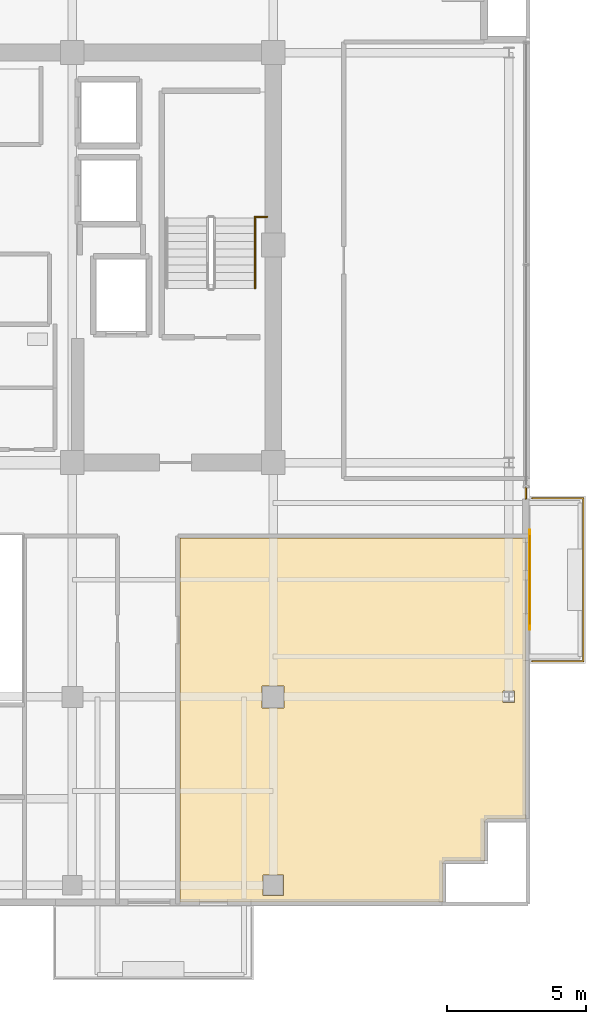
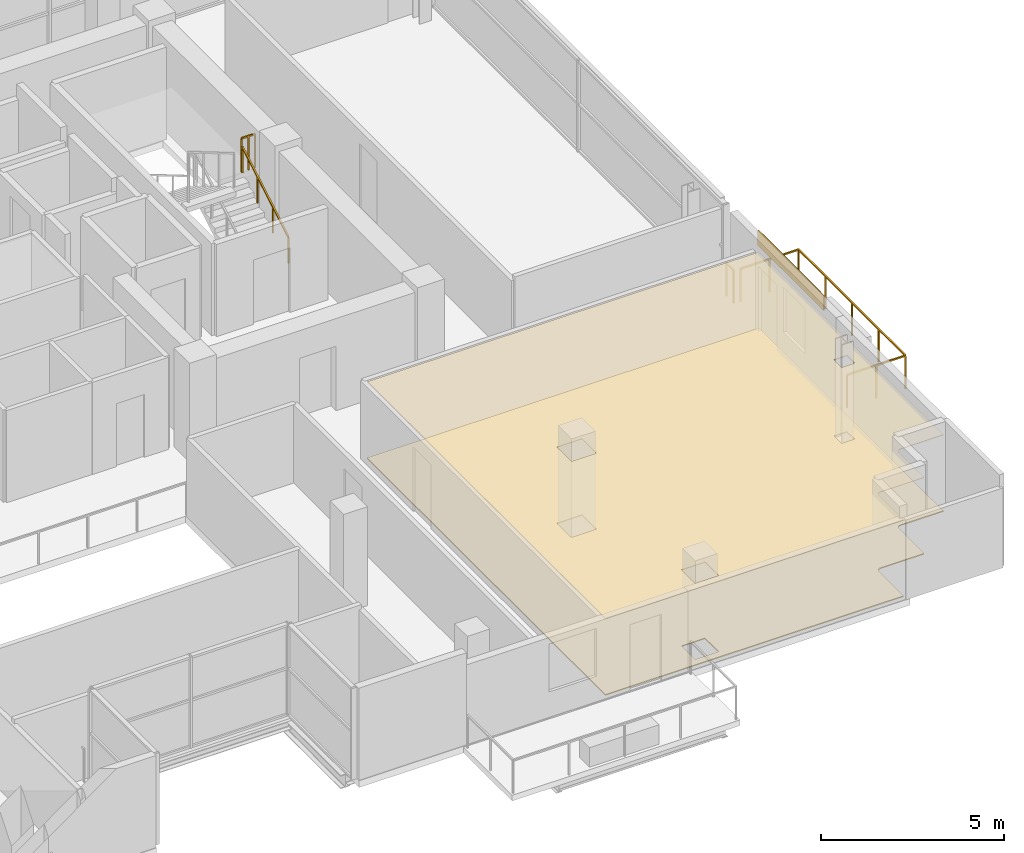
# One storey, part 21 of 22: 4 railings, 3 coverings, 1 shading device.
"""IFC4 building model written with IfcOpenShell, lengths in metres."""

from ifc_helpers import new_model, si_unit, direction, frame, origin, origin_2d, place, context, subcontext, project, spatial, polyline, rectangle, outline, extrude, source, transform, mapped, material, layer, layer_set, type_object, element, save


model = new_model("IFC4")

# Units and contexts
model_context = context("Model", 3, precision=1e-05, world=origin(), true_north=direction((0.0, 1.0)))
body_context = subcontext(model_context, "Body", "Model", "MODEL_VIEW")
ifc_project = project(units=[si_unit("LENGTHUNIT", "METRE"), si_unit("AREAUNIT", "SQUARE_METRE"), si_unit("VOLUMEUNIT", "CUBIC_METRE"), si_unit("PLANEANGLEUNIT", "RADIAN"), si_unit("MASSUNIT", "GRAM", prefix="KILO")], contexts=[model_context])

# Site, building, storey
site_placement = place(None, origin())
site = spatial("IfcSite", under=ifc_project, at=site_placement, CompositionType="ELEMENT")
building_placement = place(site_placement, origin())
building = spatial("IfcBuilding", under=site, at=building_placement, Name="Zarnakvel Exchange Tower", CompositionType="ELEMENT")
storey_placement = place(building_placement, frame((0.0, 0.0, 238.60009765625)))
storey = spatial("IfcBuildingStorey", under=building, at=storey_placement, Name="L67", CompositionType="ELEMENT", Elevation=238.60009765625)

# Coverings
ifc_material_1 = material(Name="Perforated Bronze Acoustic Metal Ceiling", Category="aluminium")
ifc_layer_1 = layer(ifc_material_1, 0.02001953125)
ifc_layer_set_1 = layer_set([ifc_layer_1], Name="Perforated Bronze Acoustic Metal Ceiling")
covering_type_1 = type_object("IfcCoveringType", Name="CLG-01", PredefinedType="CEILING", material=ifc_layer_set_1)
covering_1_placement = place(storey_placement, frame((0.0, 0.0, 2.554931640625)))
element("IfcCovering", 1, at=covering_1_placement, inside=storey, type_object=covering_type_1, Name="L67 Suspended Acoustic Ceiling (Seminar Room)", PredefinedType="CEILING", context=body_context, shape_type="SweptSolid", body=[
    extrude(outline(polyline([(11.06005859375, -3.909912109375), (23.449951171875, -3.909912109375), (23.449951171875, -13.97998046875), (22.10009765625, -13.97998046875), (22.088134765625, -13.98046875), (22.07666015625, -13.982421875), (22.065185546875, -13.985107421875), (22.05419921875, -13.989013671875), (22.04345703125, -13.994140625), (22.033447265625, -14.000244140625), (22.02392578125, -14.00732421875), (22.01513671875, -14.01513671875), (22.00732421875, -14.02392578125), (22.000244140625, -14.033447265625), (21.994140625, -14.04345703125), (21.989013671875, -14.05419921875), (21.985107421875, -14.065185546875), (21.982421875, -14.07666015625), (21.98046875, -14.088134765625), (21.97998046875, -14.10009765625), (21.97998046875, -15.47998046875), (20.60009765625, -15.47998046875), (20.588134765625, -15.48046875), (20.57666015625, -15.482421875), (20.565185546875, -15.485107421875), (20.55419921875, -15.489013671875), (20.54345703125, -15.494140625), (20.533447265625, -15.500244140625), (20.52392578125, -15.50732421875), (20.51513671875, -15.51513671875), (20.50732421875, -15.52392578125), (20.500244140625, -15.533447265625), (20.494140625, -15.54345703125), (20.489013671875, -15.55419921875), (20.485107421875, -15.565185546875), (20.482421875, -15.57666015625), (20.48046875, -15.588134765625), (20.47998046875, -15.60009765625), (20.47998046875, -16.949951171875), (11.06005859375, -16.949951171875), (11.06005859375, -3.909912109375)]), holes=[polyline([(23.057373046875, -9.807373046875), (23.057373046875, -9.392578125), (22.642578125, -9.392578125), (22.642578125, -9.807373046875), (23.057373046875, -9.807373046875)]), polyline([(14.794921875, -9.9951171875), (14.794921875, -9.205078125), (14.0048828125, -9.205078125), (14.0048828125, -9.9951171875), (14.794921875, -9.9951171875)]), polyline([(14.77001953125, -16.719970703125), (14.77001953125, -15.97998046875), (14.030029296875, -15.97998046875), (14.030029296875, -16.719970703125), (14.77001953125, -16.719970703125)])]), origin(), (0.0, 0.0, 1.0), 0.02001953125),
])
ifc_material_2 = material(Name="Heavy-Duty Raised Access Floor Panel", Category="steel")
ifc_layer_2 = layer(ifc_material_2, 0.034912109375)
ifc_layer_set_2 = layer_set([ifc_layer_2], Name="Heavy-Duty Raised Access Floor Panel")
covering_type_2 = type_object("IfcCoveringType", Name="FLR-02", PredefinedType="FLOORING", material=ifc_layer_set_2)
covering_2_placement = place(storey_placement, origin())
element("IfcCovering", 2, at=covering_2_placement, inside=storey, type_object=covering_type_2, Name="L67 Floor Finish (Seminar Room)", PredefinedType="FLOORING", context=body_context, shape_type="SweptSolid", body=[
    extrude(outline(polyline([(11.06005859375, -3.909912109375), (23.449951171875, -3.909912109375), (23.449951171875, -13.97998046875), (22.10009765625, -13.97998046875), (22.088134765625, -13.98046875), (22.07666015625, -13.982421875), (22.065185546875, -13.985107421875), (22.05419921875, -13.989013671875), (22.04345703125, -13.994140625), (22.033447265625, -14.000244140625), (22.02392578125, -14.00732421875), (22.01513671875, -14.01513671875), (22.00732421875, -14.02392578125), (22.000244140625, -14.033447265625), (21.994140625, -14.04345703125), (21.989013671875, -14.05419921875), (21.985107421875, -14.065185546875), (21.982421875, -14.07666015625), (21.98046875, -14.088134765625), (21.97998046875, -14.10009765625), (21.97998046875, -15.47998046875), (20.60009765625, -15.47998046875), (20.588134765625, -15.48046875), (20.57666015625, -15.482421875), (20.565185546875, -15.485107421875), (20.55419921875, -15.489013671875), (20.54345703125, -15.494140625), (20.533447265625, -15.500244140625), (20.52392578125, -15.50732421875), (20.51513671875, -15.51513671875), (20.50732421875, -15.52392578125), (20.500244140625, -15.533447265625), (20.494140625, -15.54345703125), (20.489013671875, -15.55419921875), (20.485107421875, -15.565185546875), (20.482421875, -15.57666015625), (20.48046875, -15.588134765625), (20.47998046875, -15.60009765625), (20.47998046875, -16.949951171875), (11.06005859375, -16.949951171875), (11.06005859375, -3.909912109375)]), holes=[polyline([(23.057373046875, -9.807373046875), (23.057373046875, -9.392578125), (22.642578125, -9.392578125), (22.642578125, -9.807373046875), (23.057373046875, -9.807373046875)]), polyline([(14.794921875, -9.9951171875), (14.794921875, -9.205078125), (14.0048828125, -9.205078125), (14.0048828125, -9.9951171875), (14.794921875, -9.9951171875)]), polyline([(14.77001953125, -16.719970703125), (14.77001953125, -15.97998046875), (14.030029296875, -15.97998046875), (14.030029296875, -16.719970703125), (14.77001953125, -16.719970703125)])]), origin(), (0.0, 0.0, 1.0), 0.034912109375),
])

# Railings
ifc_material_3 = material(Name="Architectural Bronze Anodised Aluminium", Category="aluminium")
railing_type_1 = type_object("IfcRailingType", Name="GR-02", PredefinedType="GUARDRAIL", material=ifc_material_3)
railing_1_placement = place(storey_placement, frame((23.679931640625, -8.320068359375, -0.03515625)))
element("IfcRailing", 3, at=railing_1_placement, inside=storey, type_object=railing_type_1, Name="L67 Balcony Guardrail BAL-L67-E", PredefinedType="GUARDRAIL", context=body_context, shape_type="SweptSolid", body=[
    extrude(rectangle(XDim=0.048095703125, YDim=0.048095703125, at=origin_2d()), frame((0.0, 0.0, 1.09619140625), z_axis=(1.0, 0.0, 0.0), x_axis=(0.0, 1.0, 0.0)), (0.0, 0.0, 1.0), 1.840087890625),
    extrude(rectangle(XDim=0.048095703125, YDim=0.048095703125, at=origin_2d()), frame((1.840087890625, 0.0, 1.09619140625), z_axis=(0.0, 1.0, 0.0), x_axis=(-1.0, 0.0, 0.0)), (0.0, 0.0, 1.0), 5.840087890625),
    extrude(rectangle(XDim=0.048095703125, YDim=0.048095703125, at=origin_2d()), frame((1.840087890625, 5.840087890625, 1.09619140625), z_axis=(-1.0, 0.0, 0.0), x_axis=(0.0, -1.0, 0.0)), (0.0, 0.0, 1.0), 1.840087890625),
    extrude(rectangle(XDim=0.0419921875, YDim=0.0419921875, at=origin_2d()), origin(), (0.0, 0.0, 1.0), 1.072021484375),
    extrude(rectangle(XDim=0.0419921875, YDim=0.0419921875, at=origin_2d()), frame((0.919921875, 0.0, 0.0)), (0.0, 0.0, 1.0), 1.072021484375),
    extrude(rectangle(XDim=0.0419921875, YDim=0.0419921875, at=origin_2d()), frame((1.840087890625, 0.0, 0.0)), (0.0, 0.0, 1.0), 1.072021484375),
    extrude(rectangle(XDim=0.0419921875, YDim=0.0419921875, at=origin_2d()), frame((1.840087890625, 1.4599609375, 0.0)), (0.0, 0.0, 1.0), 1.072021484375),
    extrude(rectangle(XDim=0.0419921875, YDim=0.0419921875, at=origin_2d()), frame((1.840087890625, 2.919921875, 0.0)), (0.0, 0.0, 1.0), 1.072021484375),
    extrude(rectangle(XDim=0.0419921875, YDim=0.0419921875, at=origin_2d()), frame((1.840087890625, 4.380126953125, 0.0)), (0.0, 0.0, 1.0), 1.072021484375),
    extrude(rectangle(XDim=0.0419921875, YDim=0.0419921875, at=origin_2d()), frame((1.840087890625, 5.840087890625, 0.0)), (0.0, 0.0, 1.0), 1.072021484375),
    extrude(rectangle(XDim=0.0419921875, YDim=0.0419921875, at=origin_2d()), frame((0.919921875, 5.840087890625, 0.0)), (0.0, 0.0, 1.0), 1.072021484375),
    extrude(rectangle(XDim=0.0419921875, YDim=0.0419921875, at=origin_2d()), frame((0.0, 5.840087890625, 0.0)), (0.0, 0.0, 1.0), 1.072021484375),
])
railing_2_placement = place(storey_placement, frame((23.4599609375, -2.10009765625, 0.0)))
element("IfcRailing", 4, at=railing_2_placement, inside=storey, type_object=railing_type_1, Name="L67 Corner Spandrel Balustrade #9", PredefinedType="GUARDRAIL", context=body_context, shape_type="SweptSolid", body=[
    extrude(rectangle(XDim=0.048095703125, YDim=0.048095703125, at=origin_2d()), frame((0.0, 0.0, 1.09619140625), z_axis=(0.0, -1.0, 0.0), x_axis=(1.0, 0.0, 0.0)), (0.0, 0.0, 1.0), 0.39990234375),
    extrude(rectangle(XDim=0.0419921875, YDim=0.0419921875, at=origin_2d()), origin(), (0.0, 0.0, 1.0), 1.072021484375),
    extrude(rectangle(XDim=0.0419921875, YDim=0.0419921875, at=origin_2d()), frame((0.0, -0.39990234375, 0.0)), (0.0, 0.0, 1.0), 1.072021484375),
])
ifc_material_4 = material(Name="Brushed Stainless Steel", Category="steel")
railing_type_2 = type_object("IfcRailingType", Name="HR-01", PredefinedType="HANDRAIL", material=ifc_material_4)
railing_3_placement = place(storey_placement, frame((13.75, 5.050048828125, 0.164794921875)))
element("IfcRailing", 5, at=railing_3_placement, inside=storey, type_object=railing_type_2, Name="L67 ST-02 stair handrail 1", PredefinedType="HANDRAIL", context=body_context, shape_type="SweptSolid", body=[
    extrude(rectangle(XDim=0.048095703125, YDim=0.048095703125, at=origin_2d()), frame((0.0, 0.0, 0.8759765625), z_axis=(0.0, 0.86152411907, 0.507716645641), x_axis=(-1.0, 0.0, 0.0)), (0.0, 0.0, 1.0), 2.925048828125),
    extrude(rectangle(XDim=0.0419921875, YDim=0.0419921875, at=origin_2d()), origin(), (0.0, 0.0, 1.0), 0.851806640625),
    extrude(rectangle(XDim=0.0419921875, YDim=0.0419921875, at=origin_2d()), frame((0.0, 0.840087890625, 0.4951171875)), (0.0, 0.0, 1.0), 0.851806640625),
    extrude(rectangle(XDim=0.0419921875, YDim=0.0419921875, at=origin_2d()), frame((0.0, 1.679931640625, 0.989990234375)), (0.0, 0.0, 1.0), 0.851806640625),
    extrude(rectangle(XDim=0.0419921875, YDim=0.0419921875, at=origin_2d()), frame((0.0, 2.52001953125, 1.485107421875)), (0.0, 0.0, 1.0), 0.851806640625),
])
railing_type_3 = type_object("IfcRailingType", Name="SG-01", PredefinedType="GUARDRAIL", material=ifc_material_3)
railing_4_placement = place(storey_placement, frame((13.75, 7.610107421875, 1.64990234375)))
element("IfcRailing", 6, at=railing_4_placement, inside=storey, type_object=railing_type_3, Name="L67 ST-02 Landing Slot Guardrail", PredefinedType="GUARDRAIL", context=body_context, shape_type="SweptSolid", body=[
    extrude(rectangle(XDim=0.048095703125, YDim=0.048095703125, at=origin_2d()), frame((0.0, 0.0, 1.1259765625), z_axis=(1.0, 0.0, 0.0), x_axis=(0.0, 1.0, 0.0)), (0.0, 0.0, 1.0), 0.429931640625),
    extrude(rectangle(XDim=0.0419921875, YDim=0.0419921875, at=origin_2d()), origin(), (0.0, 0.0, 1.0), 1.101806640625),
    extrude(rectangle(XDim=0.0419921875, YDim=0.0419921875, at=origin_2d()), frame((0.21484375, 0.0, 0.0)), (0.0, 0.0, 1.0), 1.101806640625),
    extrude(rectangle(XDim=0.0419921875, YDim=0.0419921875, at=origin_2d()), frame((0.429931640625, 0.0, 0.0)), (0.0, 0.0, 1.0), 1.101806640625),
])

# Covering
ifc_material_5 = material(Name="Warm Sandstone Terracotta Spandrel Tile", Category="masonry")
ifc_layer_3 = layer(ifc_material_5, 0.031982421875)
ifc_layer_set_3 = layer_set([ifc_layer_3], Name="Warm Sandstone Terracotta Spandrel Tile")
covering_type_3 = type_object("IfcCoveringType", Name="CL-02", PredefinedType="CLADDING", material=ifc_layer_set_3)
shared_shape_1 = source(origin(), body_context, "Body", "SweptSolid", [
    extrude(rectangle(XDim=3.60009765625, YDim=0.031982421875, at=origin_2d()), origin(), (0.0, 0.0, 1.0), 0.4951171875),
])
covering_3_placement = place(storey_placement, frame((23.593994140625, -5.39990234375, 2.559814453125), z_axis=(0.0, 0.0, 1.0), x_axis=(0.0, -1.0, 0.0)))
element("IfcCovering", 7, at=covering_3_placement, inside=storey, type_object=covering_type_3, Name="L67 Ceramic Spandrel Tilework CL-02", PredefinedType="CLADDING", context=body_context, shape_type="MappedRepresentation", body=[
    mapped(shared_shape_1, transform((0.0, 0.0, 0.0), x_axis=(1.0, 0.0, 0.0), y_axis=(0.0, 1.0, 0.0), z_axis=(0.0, 0.0, 1.0), scale=1.0)),
])

# Shading device
ifc_material_6 = material(Name="Perforated Architectural Bronze Screen", Category="aluminium")
ifc_layer_4 = layer(ifc_material_6, 0.044921875)
ifc_layer_set_4 = layer_set([ifc_layer_4], Name="Perforated Architectural Bronze Screen")
shading_device_type = type_object("IfcShadingDeviceType", Name="SS-01", PredefinedType="JALOUSIE", material=ifc_layer_set_4)
shared_shape_2 = source(origin(), body_context, "Body", "SweptSolid", [
    extrude(rectangle(XDim=3.199951171875, YDim=0.044921875, at=origin_2d()), origin(), (0.0, 0.0, 1.0), 0.4951171875),
])
shading_device_placement = place(storey_placement, frame((23.6005859375, -5.39990234375, 2.559814453125), z_axis=(0.0, 0.0, 1.0), x_axis=(0.0, -1.0, 0.0)))
element("IfcShadingDevice", 8, at=shading_device_placement, inside=storey, type_object=shading_device_type, Name="L67 Bronze Solar Shading Screen SS-01", PredefinedType="JALOUSIE", context=body_context, shape_type="MappedRepresentation", body=[
    mapped(shared_shape_2, transform((0.0, 0.0, 0.0), x_axis=(1.0, 0.0, 0.0), y_axis=(0.0, 1.0, 0.0), z_axis=(0.0, 0.0, 1.0), scale=1.0)),
])

save(model, "model.ifc")
